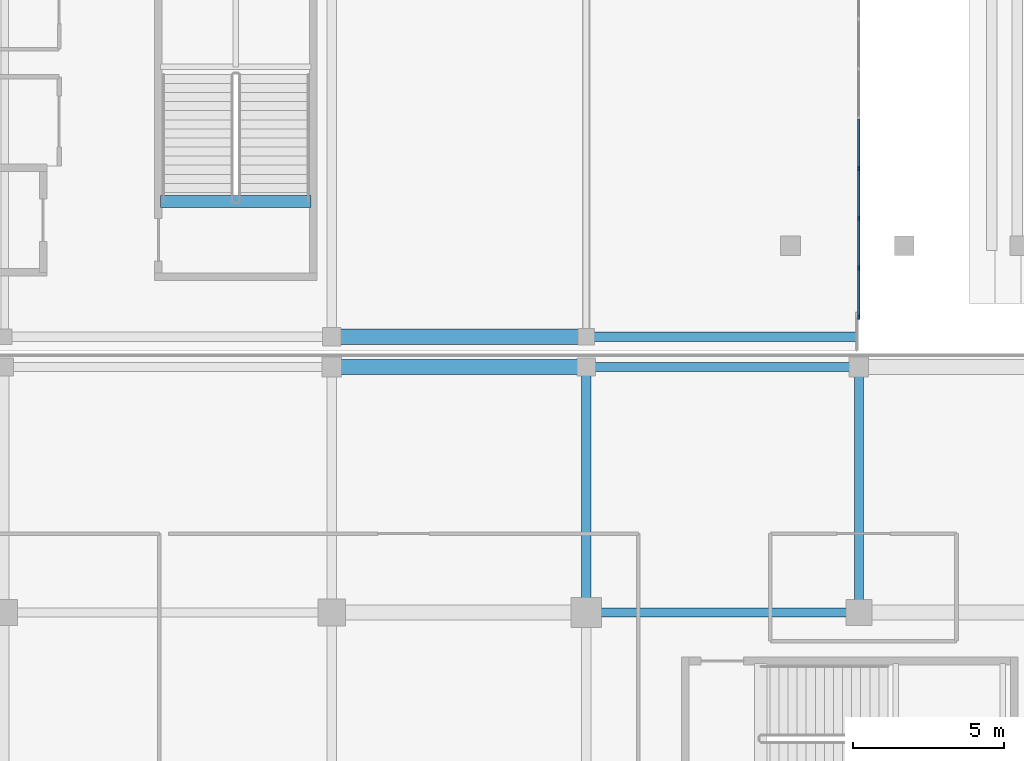
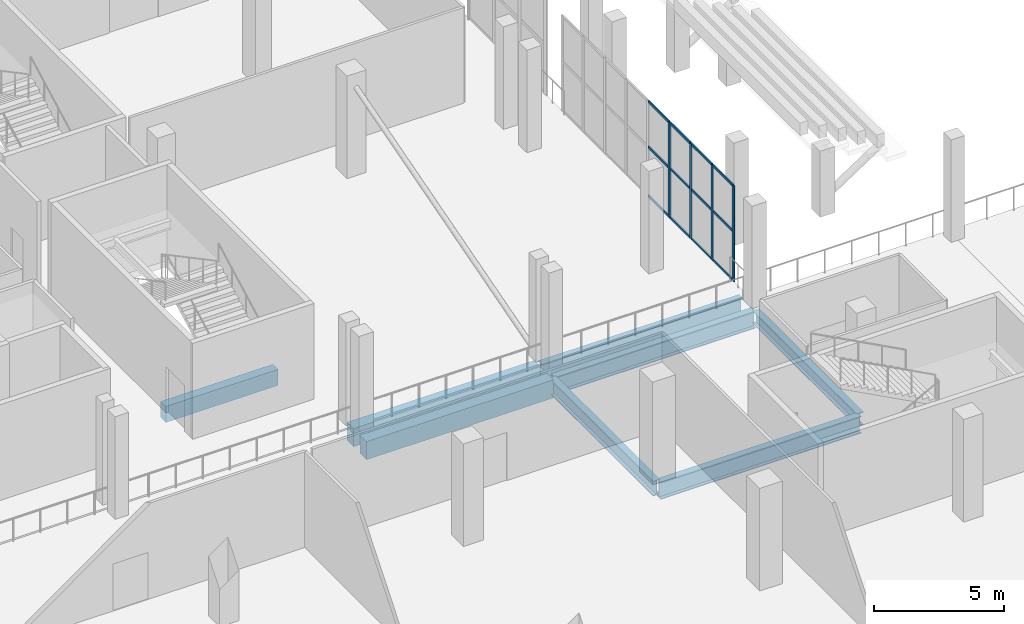
# One storey, part 17 of 142: 16 members, 8 beams, 1 element without a shape of its own.
"""IFC4 building model written with IfcOpenShell, lengths in metres."""

from ifc_helpers import new_model, si_unit, direction, frame, origin, origin_2d, place, context, subcontext, project, spatial, rectangle, i_section, extrude, material, material_profile, profile_set, type_object, element, aggregate, save


model = new_model("IFC4")

# Units and contexts
model_context = context("Model", 3, precision=1e-05, world=origin(), true_north=direction((0.0, 1.0)))
body_context = subcontext(model_context, "Body", "Model", "MODEL_VIEW")
ifc_project = project(units=[si_unit("LENGTHUNIT", "METRE"), si_unit("AREAUNIT", "SQUARE_METRE"), si_unit("VOLUMEUNIT", "CUBIC_METRE"), si_unit("PLANEANGLEUNIT", "RADIAN"), si_unit("MASSUNIT", "GRAM", prefix="KILO")], contexts=[model_context])

# Site, building, storey
site_placement = place(None, origin())
site = spatial("IfcSite", under=ifc_project, at=site_placement, CompositionType="ELEMENT")
building_placement = place(site_placement, origin())
building = spatial("IfcBuilding", under=site, at=building_placement, Name="Koshinbarg Plaza Stadium", CompositionType="ELEMENT")
storey_placement = place(building_placement, frame((0.0, 0.0, 10.199951171875)))
storey = spatial("IfcBuildingStorey", under=building, at=storey_placement, Name="L02", CompositionType="ELEMENT", Elevation=10.199951171875)

# Beams
ifc_material_1 = material(Name="Concrete C40/50", Category="concrete")
ifc_material_profile_1 = material_profile(ifc_material_1, rectangle(XDim=0.39990234375, YDim=0.75, at=origin_2d()), Name="RC 400x750")
ifc_profile_set_1 = profile_set([ifc_material_profile_1], Name="Concrete C40/50")
beam_type_1 = type_object("IfcBeamType", Name="BM-RCG-03", PredefinedType="USERDEFINED", material=ifc_profile_set_1)
beam_1_placement = place(storey_placement, frame((40.550048828125, 29.9599609375, -0.375), z_axis=(1.0, 0.0, 0.0), x_axis=(0.0, 1.0, 0.0)))
element("IfcBeam", 1, at=beam_1_placement, inside=storey, type_object=beam_type_1, Name="L02 stair landing header beam VX01", ObjectType="GIRDER", PredefinedType="USERDEFINED", context=body_context, shape_type="SweptSolid", body=[
    extrude(rectangle(XDim=0.39990234375, YDim=0.75, at=origin_2d()), origin(), (0.0, 0.0, 1.0), 4.969970703125),
])
ifc_material_profile_2 = material_profile(ifc_material_1, rectangle(XDim=0.5, YDim=0.85009765625, at=origin_2d()), Name="RC 500x850")
ifc_profile_set_2 = profile_set([ifc_material_profile_2], Name="Concrete C40/50")
beam_type_2 = type_object("IfcBeamType", Name="BM-RCG-05", PredefinedType="USERDEFINED", material=ifc_profile_set_2)
for number, where, z_axis, x_axis, name in (
    (2, (46.260009765625, 24.5, -0.724853515625), (1.0, 0.0, 0.0), (0.0, 1.0, 0.0), "L02 X girder D/7-8"),
    (3, (46.260009765625, 25.5, -0.724853515625), (1.0, 0.0, 0.0), (0.0, 1.0, 0.0), "L02 X girder E/7-8"),
):
    element("IfcBeam", number, at=place(storey_placement, frame(where, z_axis=z_axis, x_axis=x_axis)), inside=storey, type_object=beam_type_2, Name=name, ObjectType="GIRDER", PredefinedType="USERDEFINED", context=body_context, shape_type="SweptSolid", body=[
        extrude(rectangle(XDim=0.5, YDim=0.85009765625, at=origin_2d()), origin(), (0.0, 0.0, 1.0), 8.280029296875),
    ])
ifc_material_2 = material(Name="Steel S355", Category="steel")
ifc_material_profile_3 = material_profile(ifc_material_2, i_section(OverallWidth=0.300048828125, OverallDepth=0.60009765625, WebThickness=0.015380859375, FlangeThickness=0.030029296875, at=origin_2d()), Name="HEB 600")
ifc_profile_set_3 = profile_set([ifc_material_profile_3], Name="Steel S355")
beam_type_3 = type_object("IfcBeamType", Name="BM-SGIR-02", PredefinedType="USERDEFINED", material=ifc_profile_set_3)
beam_2_placement = place(storey_placement, frame((63.60009765625, 16.4599609375, -0.599853515625), z_axis=(0.0, 1.0, 0.0), x_axis=(-1.0, 0.0, 0.0)))
element("IfcBeam", 4, at=beam_2_placement, inside=storey, type_object=beam_type_3, Name="L02 Y girder 9/C-D", ObjectType="GIRDER", PredefinedType="USERDEFINED", context=body_context, shape_type="SweptSolid", body=[
    extrude(i_section(OverallWidth=0.300048828125, OverallDepth=0.60009765625, WebThickness=0.015380859375, FlangeThickness=0.030029296875, at=origin_2d()), origin(), (0.0, 0.0, 1.0), 7.97998046875),
])
ifc_material_profile_4 = material_profile(ifc_material_2, i_section(OverallWidth=0.300048828125, OverallDepth=0.699951171875, WebThickness=0.01708984375, FlangeThickness=0.031982421875, at=origin_2d()), Name="HEB 700")
ifc_profile_set_4 = profile_set([ifc_material_profile_4], Name="Steel S355")
beam_type_4 = type_object("IfcBeamType", Name="BM-SGIR-03", PredefinedType="USERDEFINED", material=ifc_profile_set_4)
beam_3_placement = place(storey_placement, frame((54.60009765625, 16.4599609375, -0.64990234375), z_axis=(0.0, 1.0, 0.0), x_axis=(-1.0, 0.0, 0.0)))
element("IfcBeam", 5, at=beam_3_placement, inside=storey, type_object=beam_type_4, Name="L02 Y girder 8/C-D", ObjectType="GIRDER", PredefinedType="USERDEFINED", context=body_context, shape_type="SweptSolid", body=[
    extrude(i_section(OverallWidth=0.300048828125, OverallDepth=0.699951171875, WebThickness=0.01708984375, FlangeThickness=0.031982421875, at=origin_2d()), origin(), (0.0, 0.0, 1.0), 7.97998046875),
])
ifc_material_profile_5 = material_profile(ifc_material_2, i_section(OverallWidth=0.300048828125, OverallDepth=0.800048828125, WebThickness=0.017578125, FlangeThickness=0.032958984375, at=origin_2d()), Name="HEB 800")
ifc_profile_set_5 = profile_set([ifc_material_profile_5], Name="Steel S355")
beam_type_5 = type_object("IfcBeamType", Name="BM-SGIR-04", PredefinedType="USERDEFINED", material=ifc_profile_set_5)
for number, where, z_axis, x_axis, name in (
    (6, (54.659912109375, 16.39990234375, -0.699951171875), (1.0, 0.0, 0.0), (0.0, 1.0, 0.0), "L02 X girder C/8-9"),
    (7, (54.659912109375, 24.5, -0.699951171875), (1.0, 0.0, 0.0), (0.0, 1.0, 0.0), "L02 X girder D/8-9"),
    (8, (54.659912109375, 25.5, -0.699951171875), (1.0, 0.0, 0.0), (0.0, 1.0, 0.0), "L02 X girder E/8-9"),
):
    element("IfcBeam", number, at=place(storey_placement, frame(where, z_axis=z_axis, x_axis=x_axis)), inside=storey, type_object=beam_type_5, Name=name, ObjectType="GIRDER", PredefinedType="USERDEFINED", context=body_context, shape_type="SweptSolid", body=[
        extrude(i_section(OverallWidth=0.300048828125, OverallDepth=0.800048828125, WebThickness=0.017578125, FlangeThickness=0.032958984375, at=origin_2d()), origin(), (0.0, 0.0, 1.0), 8.880126953125),
    ])

# Curtain wall, members
ifc_material_3 = material(Name="Thermally broken anodised aluminium and low-E double glazing", Category="aluminium")
curtain_wall_type = type_object("IfcCurtainWallType", Name="CW-SYS-01", PredefinedType="NOTDEFINED", material=ifc_material_3)
curtain_wall_placement = place(storey_placement, origin())
curtain_wall = element("IfcCurtainWall", 9, at=curtain_wall_placement, inside=storey, type_object=curtain_wall_type, Name="L02 unitised curtain wall CW-L02-080", PredefinedType="NOTDEFINED")
ifc_material_4 = material(Name="Anodised aluminium mullion", Category="aluminium")
ifc_material_profile_6 = material_profile(ifc_material_4, rectangle(XDim=0.06005859375, YDim=0.139892578125, at=origin_2d()), Name="ALU 60x140")
ifc_profile_set_6 = profile_set([ifc_material_profile_6], Name="Anodised aluminium mullion")
member_type_1 = type_object("IfcMemberType", Name="CW-MUL-01", PredefinedType="MULLION", material=ifc_profile_set_6)
member_1_placement = place(storey_placement, frame((63.60009765625, 31.054931640625, 0.0), z_axis=(0.0, 0.0, 1.0), x_axis=(1.0, 0.0, 0.0)))
member_1 = element("IfcMember", 10, at=member_1_placement, type_object=member_type_1, Name="CW01 mullion 6", PredefinedType="MULLION", context=body_context, shape_type="SweptSolid", body=[
    extrude(rectangle(XDim=0.06005859375, YDim=0.139892578125, at=origin_2d()), origin(), (0.0, 0.0, 1.0), 4.47998046875),
])
member_2_placement = place(storey_placement, frame((63.60009765625, 29.409912109375, 0.0), z_axis=(0.0, 0.0, 1.0), x_axis=(1.0, 0.0, 0.0)))
member_2 = element("IfcMember", 11, at=member_2_placement, type_object=member_type_1, Name="CW01 mullion 7", PredefinedType="MULLION", context=body_context, shape_type="SweptSolid", body=[
    extrude(rectangle(XDim=0.06005859375, YDim=0.139892578125, at=origin_2d()), origin(), (0.0, 0.0, 1.0), 4.47998046875),
])
member_3_placement = place(storey_placement, frame((63.60009765625, 27.764892578125, 0.0), z_axis=(0.0, 0.0, 1.0), x_axis=(1.0, 0.0, 0.0)))
member_3 = element("IfcMember", 12, at=member_3_placement, type_object=member_type_1, Name="CW01 mullion 8", PredefinedType="MULLION", context=body_context, shape_type="SweptSolid", body=[
    extrude(rectangle(XDim=0.06005859375, YDim=0.139892578125, at=origin_2d()), origin(), (0.0, 0.0, 1.0), 4.47998046875),
])
member_4_placement = place(storey_placement, frame((63.60009765625, 26.14990234375, 0.0), z_axis=(0.0, 0.0, 1.0), x_axis=(1.0, 0.0, 0.0)))
member_4 = element("IfcMember", 13, at=member_4_placement, type_object=member_type_1, Name="CW01 mullion 9", PredefinedType="MULLION", context=body_context, shape_type="SweptSolid", body=[
    extrude(rectangle(XDim=0.06005859375, YDim=0.139892578125, at=origin_2d()), origin(), (0.0, 0.0, 1.0), 4.47998046875),
])
ifc_material_5 = material(Name="Anodised aluminium transom", Category="aluminium")
ifc_material_profile_7 = material_profile(ifc_material_5, rectangle(XDim=0.06005859375, YDim=0.110107421875, at=origin_2d()), Name="ALU 60x110")
ifc_profile_set_7 = profile_set([ifc_material_profile_7], Name="Anodised aluminium transom")
member_type_2 = type_object("IfcMemberType", Name="CW-TRN-01", PredefinedType="USERDEFINED", material=ifc_profile_set_7)
member_5_placement = place(storey_placement, frame((63.60009765625, 32.669921875, 0.030029296875), z_axis=(0.0, -1.0, 0.0), x_axis=(1.0, 0.0, 0.0)))
member_5 = element("IfcMember", 14, at=member_5_placement, type_object=member_type_2, Name="CW01 transom 5.1", ObjectType="TRANSOM", PredefinedType="USERDEFINED", context=body_context, shape_type="SweptSolid", body=[
    extrude(rectangle(XDim=0.06005859375, YDim=0.110107421875, at=origin_2d()), origin(), (0.0, 0.0, 1.0), 1.5849609375),
])
member_6_placement = place(storey_placement, frame((63.60009765625, 32.669921875, 2.32958984375), z_axis=(0.0, -1.0, 0.0), x_axis=(1.0, 0.0, 0.0)))
member_6 = element("IfcMember", 15, at=member_6_placement, type_object=member_type_2, Name="CW01 transom 5.2", ObjectType="TRANSOM", PredefinedType="USERDEFINED", context=body_context, shape_type="SweptSolid", body=[
    extrude(rectangle(XDim=0.06005859375, YDim=0.110107421875, at=origin_2d()), origin(), (0.0, 0.0, 1.0), 1.5849609375),
])
member_7_placement = place(storey_placement, frame((63.60009765625, 32.669921875, 4.449951171875), z_axis=(0.0, -1.0, 0.0), x_axis=(1.0, 0.0, 0.0)))
member_7 = element("IfcMember", 16, at=member_7_placement, type_object=member_type_2, Name="CW01 transom 5.3", ObjectType="TRANSOM", PredefinedType="USERDEFINED", context=body_context, shape_type="SweptSolid", body=[
    extrude(rectangle(XDim=0.06005859375, YDim=0.110107421875, at=origin_2d()), origin(), (0.0, 0.0, 1.0), 1.5849609375),
])
member_8_placement = place(storey_placement, frame((63.60009765625, 31.02490234375, 0.030029296875), z_axis=(0.0, -1.0, 0.0), x_axis=(1.0, 0.0, 0.0)))
member_8 = element("IfcMember", 17, at=member_8_placement, type_object=member_type_2, Name="CW01 transom 6.1", ObjectType="TRANSOM", PredefinedType="USERDEFINED", context=body_context, shape_type="SweptSolid", body=[
    extrude(rectangle(XDim=0.06005859375, YDim=0.110107421875, at=origin_2d()), origin(), (0.0, 0.0, 1.0), 1.5849609375),
])
member_9_placement = place(storey_placement, frame((63.60009765625, 31.02490234375, 2.32958984375), z_axis=(0.0, -1.0, 0.0), x_axis=(1.0, 0.0, 0.0)))
member_9 = element("IfcMember", 18, at=member_9_placement, type_object=member_type_2, Name="CW01 transom 6.2", ObjectType="TRANSOM", PredefinedType="USERDEFINED", context=body_context, shape_type="SweptSolid", body=[
    extrude(rectangle(XDim=0.06005859375, YDim=0.110107421875, at=origin_2d()), origin(), (0.0, 0.0, 1.0), 1.5849609375),
])
member_10_placement = place(storey_placement, frame((63.60009765625, 31.02490234375, 4.449951171875), z_axis=(0.0, -1.0, 0.0), x_axis=(1.0, 0.0, 0.0)))
member_10 = element("IfcMember", 19, at=member_10_placement, type_object=member_type_2, Name="CW01 transom 6.3", ObjectType="TRANSOM", PredefinedType="USERDEFINED", context=body_context, shape_type="SweptSolid", body=[
    extrude(rectangle(XDim=0.06005859375, YDim=0.110107421875, at=origin_2d()), origin(), (0.0, 0.0, 1.0), 1.5849609375),
])
member_11_placement = place(storey_placement, frame((63.60009765625, 29.3798828125, 0.030029296875), z_axis=(0.0, -1.0, 0.0), x_axis=(1.0, 0.0, 0.0)))
member_11 = element("IfcMember", 20, at=member_11_placement, type_object=member_type_2, Name="CW01 transom 7.1", ObjectType="TRANSOM", PredefinedType="USERDEFINED", context=body_context, shape_type="SweptSolid", body=[
    extrude(rectangle(XDim=0.06005859375, YDim=0.110107421875, at=origin_2d()), origin(), (0.0, 0.0, 1.0), 1.5849609375),
])
member_12_placement = place(storey_placement, frame((63.60009765625, 29.3798828125, 2.32958984375), z_axis=(0.0, -1.0, 0.0), x_axis=(1.0, 0.0, 0.0)))
member_12 = element("IfcMember", 21, at=member_12_placement, type_object=member_type_2, Name="CW01 transom 7.2", ObjectType="TRANSOM", PredefinedType="USERDEFINED", context=body_context, shape_type="SweptSolid", body=[
    extrude(rectangle(XDim=0.06005859375, YDim=0.110107421875, at=origin_2d()), origin(), (0.0, 0.0, 1.0), 1.5849609375),
])
member_13_placement = place(storey_placement, frame((63.60009765625, 29.3798828125, 4.449951171875), z_axis=(0.0, -1.0, 0.0), x_axis=(1.0, 0.0, 0.0)))
member_13 = element("IfcMember", 22, at=member_13_placement, type_object=member_type_2, Name="CW01 transom 7.3", ObjectType="TRANSOM", PredefinedType="USERDEFINED", context=body_context, shape_type="SweptSolid", body=[
    extrude(rectangle(XDim=0.06005859375, YDim=0.110107421875, at=origin_2d()), origin(), (0.0, 0.0, 1.0), 1.5849609375),
])
member_14_placement = place(storey_placement, frame((63.60009765625, 27.735107421875, 0.030029296875), z_axis=(0.0, -1.0, 0.0), x_axis=(1.0, 0.0, 0.0)))
member_14 = element("IfcMember", 23, at=member_14_placement, type_object=member_type_2, Name="CW01 transom 8.1", ObjectType="TRANSOM", PredefinedType="USERDEFINED", context=body_context, shape_type="SweptSolid", body=[
    extrude(rectangle(XDim=0.06005859375, YDim=0.110107421875, at=origin_2d()), origin(), (0.0, 0.0, 1.0), 1.55517578125),
])
member_15_placement = place(storey_placement, frame((63.60009765625, 27.735107421875, 2.32958984375), z_axis=(0.0, -1.0, 0.0), x_axis=(1.0, 0.0, 0.0)))
member_15 = element("IfcMember", 24, at=member_15_placement, type_object=member_type_2, Name="CW01 transom 8.2", ObjectType="TRANSOM", PredefinedType="USERDEFINED", context=body_context, shape_type="SweptSolid", body=[
    extrude(rectangle(XDim=0.06005859375, YDim=0.110107421875, at=origin_2d()), origin(), (0.0, 0.0, 1.0), 1.55517578125),
])
member_16_placement = place(storey_placement, frame((63.60009765625, 27.735107421875, 4.449951171875), z_axis=(0.0, -1.0, 0.0), x_axis=(1.0, 0.0, 0.0)))
member_16 = element("IfcMember", 25, at=member_16_placement, type_object=member_type_2, Name="CW01 transom 8.3", ObjectType="TRANSOM", PredefinedType="USERDEFINED", context=body_context, shape_type="SweptSolid", body=[
    extrude(rectangle(XDim=0.06005859375, YDim=0.110107421875, at=origin_2d()), origin(), (0.0, 0.0, 1.0), 1.55517578125),
])
aggregate(curtain_wall, [member_1, member_2, member_3, member_4, member_5, member_6, member_7, member_8, member_9, member_10, member_11, member_12, member_13, member_14, member_15, member_16])

save(model, "model.ifc")
